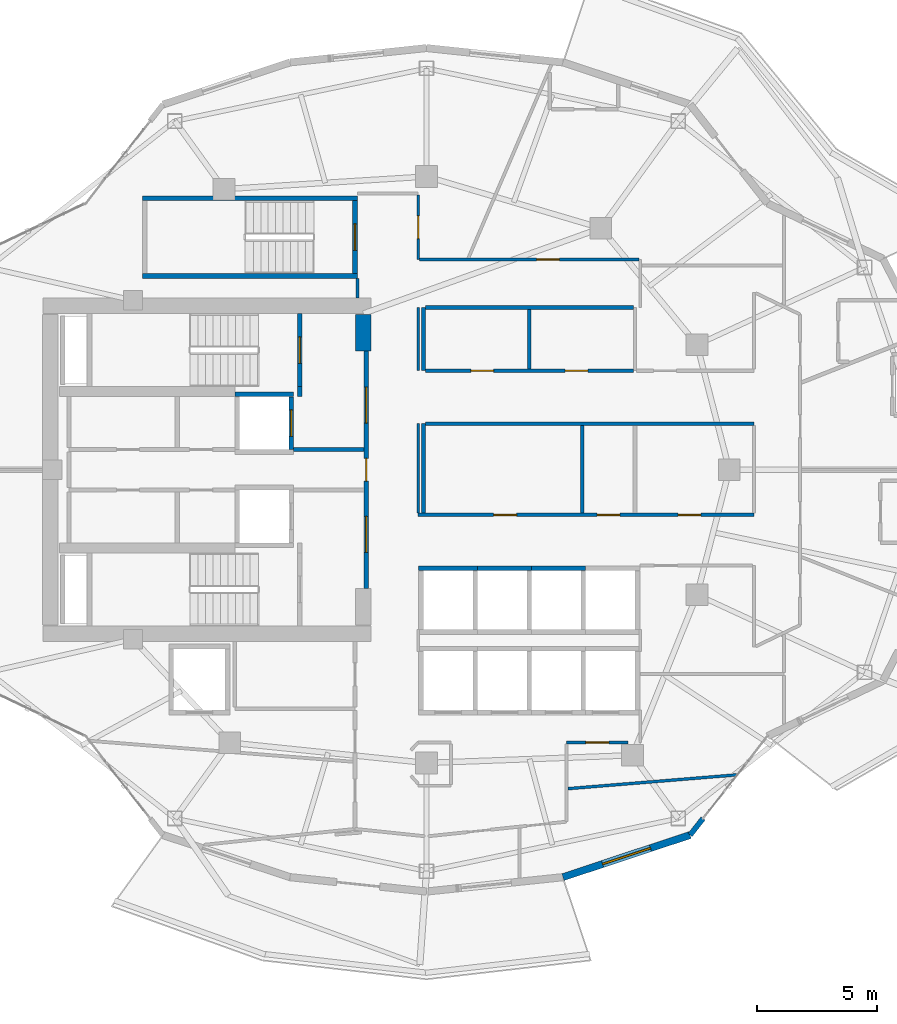
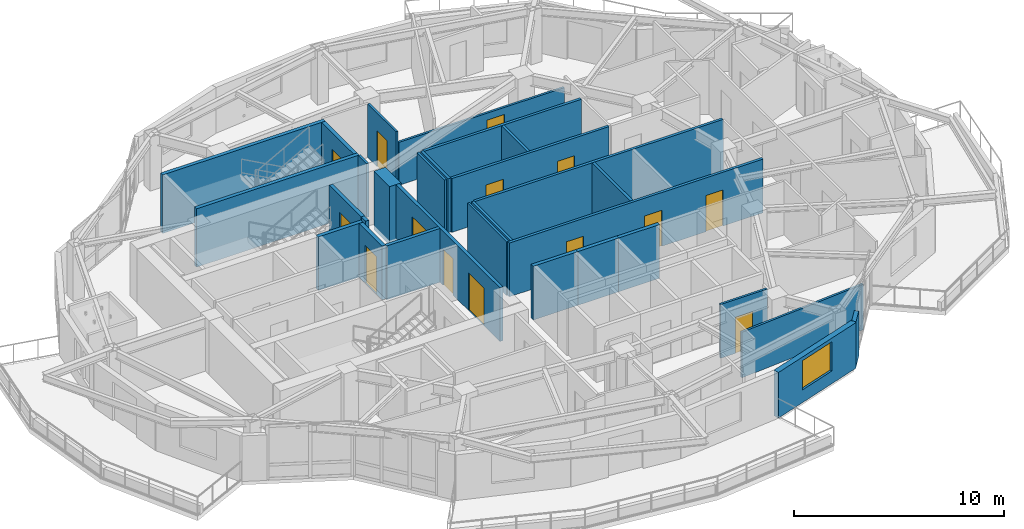
# One storey, part 10 of 19: 30 walls, 14 doors, 1 window, 15 openings.
"""IFC4 building model written with IfcOpenShell, lengths in metres."""

from ifc_helpers import new_model, si_unit, direction, frame, frame_2d, origin, place, context, subcontext, project, spatial, rectangle, extrude, material, layer, layer_set, type_object, element, fill, save


model = new_model("IFC4")

# Units and contexts
model_context = context("Model", 3, precision=1e-05, world=origin(), true_north=direction((0.0, 1.0)))
body_context = subcontext(model_context, "Body", "Model", "MODEL_VIEW")
ifc_project = project(units=[si_unit("LENGTHUNIT", "METRE"), si_unit("AREAUNIT", "SQUARE_METRE"), si_unit("VOLUMEUNIT", "CUBIC_METRE"), si_unit("PLANEANGLEUNIT", "RADIAN"), si_unit("MASSUNIT", "GRAM", prefix="KILO")], contexts=[model_context])

# Site, building, storey
site_placement = place(None, origin())
site = spatial("IfcSite", under=ifc_project, at=site_placement, CompositionType="ELEMENT")
building_placement = place(site_placement, origin())
building = spatial("IfcBuilding", under=site, at=building_placement, Name="Kolvaren Gate Tower and Convention Centre", CompositionType="ELEMENT")
storey_placement = place(building_placement, frame((0.0, 0.0, 163.10009765625)))
storey = spatial("IfcBuildingStorey", under=building, at=storey_placement, Name="L42", CompositionType="ELEMENT", Elevation=163.10009765625)

# Wall
ifc_material_1 = material(Name="Autoclaved Aerated Masonry Blockwork Class 4 (4.0 MPa)", Category="masonry")
ifc_layer_1 = layer(ifc_material_1, 0.179931640625)
ifc_layer_set_1 = layer_set([ifc_layer_1], Name="Autoclaved Aerated Masonry Blockwork Class 4 (4.0 MPa)")
wall_type_1 = type_object("IfcWallType", Name="ARCH-WL-COMP-180", PredefinedType="SOLIDWALL", material=ifc_layer_set_1)
wall_1_placement = place(storey_placement, frame((24.85009765625, 30.0400390625, 0.0), z_axis=(0.0, 0.0, 1.0), x_axis=(0.0, 1.0, 0.0)))
element("IfcWall", 1, at=wall_1_placement, inside=storey, type_object=wall_type_1, Name="Interior Partition WL-L42-INT-002", PredefinedType="SOLIDWALL", context=body_context, shape_type="SweptSolid", body=[
    extrude(rectangle(XDim=0.419921875, YDim=0.179931640625, at=frame_2d((0.2099609375, 0.0))), origin(), (0.0, 0.0, 1.0), 3.1298828125),
])

# Wall, openings, doors
wall_2_placement = place(storey_placement, frame((27.6201171875, 22.050048828125, 0.0), z_axis=(0.0, 0.0, 1.0), x_axis=(0.0, 1.0, 0.0)))
wall_2 = element("IfcWall", 2, at=wall_2_placement, inside=storey, type_object=wall_type_1, Name="Interior Partition WL-L42-INT-003", PredefinedType="SOLIDWALL", context=body_context, shape_type="SweptSolid", body=[
    extrude(rectangle(XDim=9.89990234375, YDim=0.179931640625, at=frame_2d((4.949951171875, 0.0))), origin(), (0.0, 0.0, 1.0), 3.1298828125),
])
opening_1_placement = place(wall_2_placement, frame((4.47509765625, 0.0, 0.0)))
opening_1 = element("IfcOpeningElement", 3, at=opening_1_placement, cuts=wall_2, Name="Opening DR-01", PredefinedType="OPENING", context=body_context, shape_type="SweptSolid", body=[
    extrude(rectangle(XDim=0.949951171875, YDim=2.10009765625, at=frame_2d((0.47509765625, 1.050048828125))), frame((0.0, 0.099853515625, 0.0), z_axis=(0.0, -1.0, 0.0), x_axis=(1.0, 0.0, 0.0)), (0.0, 0.0, 1.0), 0.199951171875),
])
opening_2_placement = place(wall_2_placement, frame((6.889892578125, 0.0, 0.0)))
opening_2 = element("IfcOpeningElement", 4, at=opening_2_placement, cuts=wall_2, Name="Opening DL-01", PredefinedType="OPENING", context=body_context, shape_type="SweptSolid", body=[
    extrude(rectangle(XDim=1.5, YDim=2.199951171875, at=frame_2d((0.75, 1.10009765625))), frame((0.0, 0.099853515625, 0.0), z_axis=(0.0, -1.0, 0.0), x_axis=(1.0, 0.0, 0.0)), (0.0, 0.0, 1.0), 0.199951171875),
])
opening_3_placement = place(wall_2_placement, frame((1.510009765625, 0.0, 0.0)))
opening_3 = element("IfcOpeningElement", 5, at=opening_3_placement, cuts=wall_2, Name="Opening DL-01", PredefinedType="OPENING", context=body_context, shape_type="SweptSolid", body=[
    extrude(rectangle(XDim=1.5, YDim=2.199951171875, at=frame_2d((0.75, 1.10009765625))), frame((0.0, 0.099853515625, 0.0), z_axis=(0.0, -1.0, 0.0), x_axis=(1.0, 0.0, 0.0)), (0.0, 0.0, 1.0), 0.199951171875),
])
ifc_material_2 = material(Name="Painted Architectural Steelwork ASTM A500 Grade C 345 MPa", Category="steel")
door_type_1 = type_object("IfcDoorType", Name="ARCH-DR-LOBBY-1500", OperationType="DOUBLE_DOOR_SINGLE_SWING", PredefinedType="DOOR", material=ifc_material_2)
door_1_placement = place(opening_2_placement, origin())
door_1 = element("IfcDoor", 6, at=door_1_placement, inside=storey, type_object=door_type_1, Name="North Firefighting Stair and Lift Lobby Door", OperationType="DOUBLE_DOOR_SINGLE_SWING", OverallHeight=2.199951171875, OverallWidth=1.5, PredefinedType="DOOR", context=body_context, shape_type="SweptSolid", body=[
    extrude(rectangle(XDim=1.5, YDim=2.199951171875, at=frame_2d((0.75, 1.10009765625))), frame((0.0, 0.02490234375, 0.0), z_axis=(0.0, -1.0, 0.0), x_axis=(1.0, 0.0, 0.0)), (0.0, 0.0, 1.0), 0.050048828125),
])
fill(opening_2, door_1)
door_2_placement = place(opening_3_placement, origin())
door_2 = element("IfcDoor", 7, at=door_2_placement, inside=storey, type_object=door_type_1, Name="South Firefighting Stair and Lift Lobby Door", OperationType="DOUBLE_DOOR_SINGLE_SWING", OverallHeight=2.199951171875, OverallWidth=1.5, PredefinedType="DOOR", context=body_context, shape_type="SweptSolid", body=[
    extrude(rectangle(XDim=1.5, YDim=2.199951171875, at=frame_2d((0.75, 1.10009765625))), frame((0.0, 0.02490234375, 0.0), z_axis=(0.0, -1.0, 0.0), x_axis=(1.0, 0.0, 0.0)), (0.0, 0.0, 1.0), 0.050048828125),
])
fill(opening_3, door_2)
door_type_2 = type_object("IfcDoorType", Name="ARCH-DR-RISER-950", OperationType="SINGLE_SWING_RIGHT", PredefinedType="DOOR", material=ifc_material_2)
door_3_placement = place(opening_1_placement, origin())
door_3 = element("IfcDoor", 8, at=door_3_placement, inside=storey, type_object=door_type_2, Name="Central MEP Service Corridor Door", OperationType="SINGLE_SWING_LEFT", OverallHeight=2.10009765625, OverallWidth=0.949951171875, PredefinedType="DOOR", context=body_context, shape_type="SweptSolid", body=[
    extrude(rectangle(XDim=0.949951171875, YDim=2.10009765625, at=frame_2d((0.47509765625, 1.050048828125))), frame((0.0, 0.02490234375, 0.0), z_axis=(0.0, -1.0, 0.0), x_axis=(1.0, 0.0, 0.0)), (0.0, 0.0, 1.0), 0.050048828125),
])
fill(opening_1, door_3)

# Wall
wall_3_placement = place(storey_placement, frame((24.60009765625, 27.840087890625, 0.0), z_axis=(0.0, 0.0, 1.0), x_axis=(1.0, 0.0, 0.0)))
element("IfcWall", 9, at=wall_3_placement, inside=storey, type_object=wall_type_1, Name="Interior Partition WL-L42-INT-004 (2)", PredefinedType="SOLIDWALL", context=body_context, shape_type="SweptSolid", body=[
    extrude(rectangle(XDim=2.927978515625, YDim=0.179931640625, at=frame_2d((1.4638671875, 0.0))), origin(), (0.0, 0.0, 1.0), 3.1298828125),
])

# Wall, opening, door
ifc_material_3 = material(Name="Fire-Rated Acoustic Gypsum Stud Partition", Category="gypsum")
ifc_layer_2 = layer(ifc_material_3, 0.1201171875)
ifc_layer_set_2 = layer_set([ifc_layer_2], Name="Fire-Rated Acoustic Gypsum Stud Partition")
wall_type_2 = type_object("IfcWallType", Name="ARCH-WL-PART-120", PredefinedType="PARTITIONING", material=ifc_layer_set_2)
wall_4_placement = place(storey_placement, frame((35.949951171875, 15.64990234375, 0.0), z_axis=(0.0, 0.0, 1.0), x_axis=(1.0, 0.0, 0.0)))
wall_4 = element("IfcWall", 10, at=wall_4_placement, inside=storey, type_object=wall_type_2, Name="Interior Partition WL-L42-INT-026", PredefinedType="PARTITIONING", context=body_context, shape_type="SweptSolid", body=[
    extrude(rectangle(XDim=2.568115234375, YDim=0.1201171875, at=frame_2d((1.2841796875, 0.0))), origin(), (0.0, 0.0, 1.0), 3.1298828125),
])
opening_4_placement = place(wall_4_placement, frame((0.80908203125, 0.0, 0.0)))
opening_4 = element("IfcOpeningElement", 11, at=opening_4_placement, cuts=wall_4, Name="Opening DR-01", PredefinedType="OPENING", context=body_context, shape_type="SweptSolid", body=[
    extrude(rectangle(XDim=0.949951171875, YDim=2.10009765625, at=frame_2d((0.47509765625, 1.050048828125))), frame((0.0, 0.070068359375, 0.0), z_axis=(0.0, -1.0, 0.0), x_axis=(1.0, 0.0, 0.0)), (0.0, 0.0, 1.0), 0.14013671875),
])
door_4_placement = place(opening_4_placement, origin())
door_4 = element("IfcDoor", 12, at=door_4_placement, inside=storey, type_object=door_type_2, Name="Luxury Retail Boutique Door", OperationType="SINGLE_SWING_LEFT", OverallHeight=2.10009765625, OverallWidth=0.949951171875, PredefinedType="DOOR", context=body_context, shape_type="SweptSolid", body=[
    extrude(rectangle(XDim=0.949951171875, YDim=2.10009765625, at=frame_2d((0.47509765625, 1.050048828125))), frame((0.0, 0.02490234375, 0.0), z_axis=(0.0, -1.0, 0.0), x_axis=(1.0, 0.0, 0.0)), (0.0, 0.0, 1.0), 0.050048828125),
])
fill(opening_4, door_4)

# Walls
wall_5_placement = place(storey_placement, frame((27.25, 34.152099609375, 0.0), z_axis=(0.0, 0.0, 1.0), x_axis=(0.0, 1.0, 0.0)))
element("IfcWall", 13, at=wall_5_placement, inside=storey, type_object=wall_type_2, Name="Interior Partition WL-L42-INT-030", PredefinedType="PARTITIONING", context=body_context, shape_type="SweptSolid", body=[
    extrude(rectangle(XDim=0.805908203125, YDim=0.1201171875, at=frame_2d((0.40283203125, 0.0))), origin(), (0.0, 0.0, 1.0), 3.1298828125),
])
wall_6_placement = place(storey_placement, frame((29.780029296875, 25.197021484375, 0.0), z_axis=(0.0, 0.0, 1.0), x_axis=(0.0, 1.0, 0.0)))
element("IfcWall", 14, at=wall_6_placement, inside=storey, type_object=wall_type_2, Name="Interior Partition WL-L42-INT-033", PredefinedType="PARTITIONING", context=body_context, shape_type="SweptSolid", body=[
    extrude(rectangle(XDim=3.722900390625, YDim=0.1201171875, at=frame_2d((1.861328125, 0.0))), origin(), (0.0, 0.0, 1.0), 3.1298828125),
])
wall_7_placement = place(storey_placement, frame((29.780029296875, 31.1201171875, 0.0), z_axis=(0.0, 0.0, 1.0), x_axis=(0.0, 1.0, 0.0)))
element("IfcWall", 15, at=wall_7_placement, inside=storey, type_object=wall_type_2, Name="Interior Partition WL-L42-INT-034", PredefinedType="PARTITIONING", context=body_context, shape_type="SweptSolid", body=[
    extrude(rectangle(XDim=2.6298828125, YDim=0.1201171875, at=frame_2d((1.31494140625, 0.0))), origin(), (0.0, 0.0, 1.0), 3.1298828125),
])

# Wall, opening, door
wall_8_placement = place(storey_placement, frame((29.780029296875, 35.75, 0.0), z_axis=(0.0, 0.0, 1.0), x_axis=(0.0, 1.0, 0.0)))
wall_8 = element("IfcWall", 16, at=wall_8_placement, inside=storey, type_object=wall_type_2, Name="Interior Partition WL-L42-INT-035", PredefinedType="PARTITIONING", context=body_context, shape_type="SweptSolid", body=[
    extrude(rectangle(XDim=2.68798828125, YDim=0.1201171875, at=frame_2d((1.343994140625, 0.0))), origin(), (0.0, 0.0, 1.0), 3.1298828125),
])
opening_5_placement = place(wall_8_placement, frame((0.868896484375, 0.0, 0.0)))
opening_5 = element("IfcOpeningElement", 17, at=opening_5_placement, cuts=wall_8, Name="Opening DR-01", PredefinedType="OPENING", context=body_context, shape_type="SweptSolid", body=[
    extrude(rectangle(XDim=0.949951171875, YDim=2.10009765625, at=frame_2d((0.47509765625, 1.050048828125))), frame((0.0, 0.070068359375, 0.0), z_axis=(0.0, -1.0, 0.0), x_axis=(1.0, 0.0, 0.0)), (0.0, 0.0, 1.0), 0.14013671875),
])
door_5_placement = place(opening_5_placement, origin())
door_5 = element("IfcDoor", 18, at=door_5_placement, inside=storey, type_object=door_type_2, Name="Deluxe Hotel Suite (HTL-L42-14) Door", OperationType="SINGLE_SWING_RIGHT", OverallHeight=2.10009765625, OverallWidth=0.949951171875, PredefinedType="DOOR", context=body_context, shape_type="SweptSolid", body=[
    extrude(rectangle(XDim=0.949951171875, YDim=2.10009765625, at=frame_2d((0.47509765625, 1.050048828125))), frame((0.0, 0.02490234375, 0.0), z_axis=(0.0, -1.0, 0.0), x_axis=(1.0, 0.0, 0.0)), (0.0, 0.0, 1.0), 0.050048828125),
])
fill(opening_5, door_5)

wall_9_placement = place(storey_placement, frame((29.842041015625, 35.75, 0.0), z_axis=(0.0, 0.0, 1.0), x_axis=(1.0, 0.0, 0.0)))
wall_9 = element("IfcWall", 19, at=wall_9_placement, inside=storey, type_object=wall_type_2, Name="Interior Partition WL-L42-INT-036", PredefinedType="PARTITIONING", context=body_context, shape_type="SweptSolid", body=[
    extrude(rectangle(XDim=9.115966796875, YDim=0.1201171875, at=frame_2d((4.55810546875, 0.0))), origin(), (0.0, 0.0, 1.0), 2.5048828125),
])
opening_6_placement = place(wall_9_placement, frame((4.866455078125, 0.0, 0.0)))
opening_6 = element("IfcOpeningElement", 20, at=opening_6_placement, cuts=wall_9, Name="Opening DR-01", PredefinedType="OPENING", context=body_context, shape_type="SweptSolid", body=[
    extrude(rectangle(XDim=0.949951171875, YDim=2.10009765625, at=frame_2d((0.47509765625, 1.050048828125))), frame((0.0, 0.070068359375, 0.0), z_axis=(0.0, -1.0, 0.0), x_axis=(1.0, 0.0, 0.0)), (0.0, 0.0, 1.0), 0.14013671875),
])
door_6_placement = place(opening_6_placement, origin())
door_6 = element("IfcDoor", 21, at=door_6_placement, inside=storey, type_object=door_type_2, Name="Deluxe Hotel Suite (HTL-L42-13) Door", OperationType="SINGLE_SWING_LEFT", OverallHeight=2.10009765625, OverallWidth=0.949951171875, PredefinedType="DOOR", context=body_context, shape_type="SweptSolid", body=[
    extrude(rectangle(XDim=0.949951171875, YDim=2.10009765625, at=frame_2d((0.47509765625, 1.050048828125))), frame((0.0, 0.02490234375, 0.0), z_axis=(0.0, -1.0, 0.0), x_axis=(1.0, 0.0, 0.0)), (0.0, 0.0, 1.0), 0.050048828125),
])
fill(opening_6, door_6)

# Walls
wall_10_placement = place(storey_placement, frame((36.011962890625, 13.72998046875, 0.0), z_axis=(0.0, 0.0, 1.0), x_axis=(0.996671680688, 0.081520309828, 0.0)))
element("IfcWall", 22, at=wall_10_placement, inside=storey, type_object=wall_type_2, Name="Interior Partition WL-L42-INT-054", PredefinedType="PARTITIONING", context=body_context, shape_type="SweptSolid", body=[
    extrude(rectangle(XDim=7.034912109375, YDim=0.1201171875, at=frame_2d((3.517578125, 0.0))), origin(), (0.0, 0.0, 1.0), 2.65283203125),
])
ifc_material_4 = material(Name="Bogota Sabana Bush-Hammered Sandstone Cladding", Category="masonry")
ifc_layer_3 = layer(ifc_material_4, 0.219970703125)
ifc_layer_set_3 = layer_set([ifc_layer_3], Name="Bogota Sabana Bush-Hammered Sandstone Cladding")
wall_type_3 = type_object("IfcWallType", Name="ARCH-WL-PIER-220", PredefinedType="SOLIDWALL", material=ifc_layer_set_3)
wall_11_placement = place(storey_placement, frame((41.09375, 11.80126953125, 0.0), z_axis=(0.0, 0.0, 1.0), x_axis=(0.616368366719, 0.787457958566, 0.0)))
element("IfcWall", 23, at=wall_11_placement, inside=storey, type_object=wall_type_3, Name="Tower L42 Unitised Curtain Wall CW-HTL-UNIT Bay 20 Left Column Pier Wrap", PredefinedType="SOLIDWALL", context=body_context, shape_type="SweptSolid", body=[
    extrude(rectangle(XDim=0.876220703125, YDim=0.219970703125, at=frame_2d((0.43798828125, 0.0))), origin(), (0.0, 0.0, 1.0), 2.65283203125),
])
ifc_layer_4 = layer(ifc_material_1, 0.199951171875)
ifc_layer_set_4 = layer_set([ifc_layer_4], Name="Autoclaved Aerated Masonry Blockwork Class 4 (4.0 MPa)")
wall_type_4 = type_object("IfcWallType", Name="ARCH-WL-SHAFT-200", PredefinedType="SOLIDWALL", material=ifc_layer_set_4)
wall_12_placement = place(storey_placement, frame((22.14990234375, 30.139892578125, 0.0), z_axis=(0.0, 0.0, 1.0), x_axis=(1.0, 0.0, 0.0)))
element("IfcWall", 24, at=wall_12_placement, inside=storey, type_object=wall_type_4, Name="Elevator FF-01 L42 Fire Shaft Wall N", PredefinedType="SOLIDWALL", context=body_context, shape_type="SweptSolid", body=[
    extrude(rectangle(XDim=2.4501953125, YDim=0.199951171875, at=frame_2d((1.22509765625, 0.0))), origin(), (0.0, 0.0, 1.0), 3.1298828125),
])

# Wall, opening, door
wall_13_placement = place(storey_placement, frame((24.5, 27.85009765625, 0.0), z_axis=(0.0, 0.0, 1.0), x_axis=(0.0, 1.0, 0.0)))
wall_13 = element("IfcWall", 25, at=wall_13_placement, inside=storey, type_object=wall_type_4, Name="Elevator FF-01 L42 Fire Shaft Wall E", PredefinedType="SOLIDWALL", context=body_context, shape_type="SweptSolid", body=[
    extrude(rectangle(XDim=2.179931640625, YDim=0.199951171875, at=frame_2d((1.08984375, 0.0))), origin(), (0.0, 0.0, 1.0), 3.1298828125),
])
opening_7_placement = place(wall_13_placement, frame((0.5400390625, 0.0, 0.0)))
opening_7 = element("IfcOpeningElement", 26, at=opening_7_placement, cuts=wall_13, Name="Opening LD", PredefinedType="OPENING", context=body_context, shape_type="SweptSolid", body=[
    extrude(rectangle(XDim=1.10009765625, YDim=2.199951171875, at=frame_2d((0.550048828125, 1.10009765625))), frame((0.0, 0.10986328125, 0.0), z_axis=(0.0, -1.0, 0.0), x_axis=(1.0, 0.0, 0.0)), (0.0, 0.0, 1.0), 0.219970703125),
])
ifc_material_5 = material(Name="Brushed Stainless Steel Grade 316L", Category="steel")
door_type_3 = type_object("IfcDoorType", Name="ARCH-DR-LIFT-1100", OperationType="SLIDING_TO_LEFT", PredefinedType="DOOR", material=ifc_material_5)
door_7_placement = place(opening_7_placement, origin())
door_7 = element("IfcDoor", 27, at=door_7_placement, inside=storey, type_object=door_type_3, Name="Elevator FF-01 L42 Sliding Landing Door", OperationType="SLIDING_TO_LEFT", OverallHeight=2.199951171875, OverallWidth=1.10009765625, PredefinedType="DOOR", context=body_context, shape_type="SweptSolid", body=[
    extrude(rectangle(XDim=1.10009765625, YDim=2.199951171875, at=frame_2d((0.550048828125, 1.10009765625))), frame((0.0, 0.02490234375, 0.0), z_axis=(0.0, -1.0, 0.0), x_axis=(1.0, 0.0, 0.0)), (0.0, 0.0, 1.0), 0.050048828125),
])
fill(opening_7, door_7)

# Walls
wall_14_placement = place(storey_placement, frame((29.800048828125, 22.89990234375, 0.0), z_axis=(0.0, 0.0, 1.0), x_axis=(1.0, 0.0, 0.0)))
element("IfcWall", 28, at=wall_14_placement, inside=storey, type_object=wall_type_4, Name="Elevator PL-09 L42 Fire Shaft Wall N", PredefinedType="SOLIDWALL", context=body_context, shape_type="SweptSolid", body=[
    extrude(rectangle(XDim=2.449951171875, YDim=0.199951171875, at=frame_2d((1.22509765625, 0.0))), origin(), (0.0, 0.0, 1.0), 3.1298828125),
])
for number, where, z_axis, x_axis, name in (
    (29, (32.25, 22.89990234375, 0.0), (0.0, 0.0, 1.0), (1.0, 0.0, 0.0), "Elevator PL-10 L42 Fire Shaft Wall N"),
    (30, (34.5, 22.89990234375, 0.0), (0.0, 0.0, 1.0), (1.0, 0.0, 0.0), "Elevator PL-11 L42 Fire Shaft Wall N"),
):
    element("IfcWall", number, at=place(storey_placement, frame(where, z_axis=z_axis, x_axis=x_axis)), inside=storey, type_object=wall_type_4, Name=name, PredefinedType="SOLIDWALL", context=body_context, shape_type="SweptSolid", body=[
        extrude(rectangle(XDim=2.25, YDim=0.199951171875, at=frame_2d((1.125, 0.0))), origin(), (0.0, 0.0, 1.0), 3.1298828125),
    ])

# Wall, opening, window
ifc_material_6 = material(Name="Piedmont Cream Honed Limestone Cladding", Category="masonry")
ifc_layer_5 = layer(ifc_material_6, 0.300048828125)
ifc_layer_set_5 = layer_set([ifc_layer_5], Name="Piedmont Cream Honed Limestone Cladding")
wall_type_5 = type_object("IfcWallType", Name="ARCH-WL-STONE-300", PredefinedType="SOLIDWALL", material=ifc_layer_set_5)
wall_15_placement = place(storey_placement, frame((35.802734375, 10.048095703125, 0.0), z_axis=(0.0, 0.0, 1.0), x_axis=(0.949246811547, 0.314532177636, 0.0)))
wall_15 = element("IfcWall", 31, at=wall_15_placement, inside=storey, type_object=wall_type_5, Name="Tower L42 Honed Stone Spandrel Wall EW-19", PredefinedType="SOLIDWALL", context=body_context, shape_type="SweptSolid", body=[
    extrude(rectangle(XDim=5.573974609375, YDim=0.300048828125, at=frame_2d((2.787109375, 0.0))), origin(), (0.0, 0.0, 1.0), 2.65283203125),
])
opening_8_placement = place(wall_15_placement, frame((1.737060546875, 0.0, 0.739990234375)))
opening_8 = element("IfcOpeningElement", 32, at=opening_8_placement, cuts=wall_15, Name="Opening W-02", PredefinedType="OPENING", context=body_context, shape_type="SweptSolid", body=[
    extrude(rectangle(XDim=2.10009765625, YDim=1.699951171875, at=frame_2d((1.050048828125, 0.85009765625))), frame((0.0, 0.159912109375, 0.0), z_axis=(0.0, -1.0, 0.0), x_axis=(1.0, 0.0, 0.0)), (0.0, 0.0, 1.0), 0.320068359375),
])
ifc_material_7 = material(Name="Low-E Triple Insulated Glazing Unit 44 mm", Category="glass")
window_type = type_object("IfcWindowType", Name="ARCH-WN-HTL-2100", PartitioningType="SINGLE_PANEL", PredefinedType="WINDOW", material=ifc_material_7)
window_placement = place(opening_8_placement, origin())
window = element("IfcWindow", 33, at=window_placement, inside=storey, type_object=window_type, Name="Tower L42 Punched Stone Facade Window W-19", OverallHeight=1.699951171875, OverallWidth=2.10009765625, PartitioningType="SINGLE_PANEL", PredefinedType="WINDOW", context=body_context, shape_type="SweptSolid", body=[
    extrude(rectangle(XDim=2.10009765625, YDim=1.699951171875, at=frame_2d((1.050048828125, 0.85009765625))), frame((0.0, 0.030029296875, 0.0), z_axis=(0.0, -1.0, 0.0), x_axis=(1.0, 0.0, 0.0)), (0.0, 0.0, 1.0), 0.06005859375),
])
fill(opening_8, window)

# Wall, openings, doors
ifc_material_8 = material(Name="Moisture-Resistant Cement-Board Acoustic Partition", Category="gypsum")
ifc_layer_6 = layer(ifc_material_8, 0.14990234375)
ifc_layer_set_6 = layer_set([ifc_layer_6], Name="Moisture-Resistant Cement-Board Acoustic Partition")
wall_type_6 = type_object("IfcWallType", Name="ARCH-WL-WET-150", PredefinedType="PARTITIONING", material=ifc_layer_set_6)
wall_16_placement = place(storey_placement, frame((29.780029296875, 25.1201171875, 0.0), z_axis=(0.0, 0.0, 1.0), x_axis=(1.0, 0.0, 0.0)))
wall_16 = element("IfcWall", 34, at=wall_16_placement, inside=storey, type_object=wall_type_6, Name="Interior Partition WL-L42-INT-013", PredefinedType="PARTITIONING", context=body_context, shape_type="SweptSolid", body=[
    extrude(rectangle(XDim=13.969970703125, YDim=0.14990234375, at=frame_2d((6.98486328125, 0.0))), origin(), (0.0, 0.0, 1.0), 3.1298828125),
])
opening_9_placement = place(wall_16_placement, frame((3.139892578125, 0.0, 0.0)))
opening_9 = element("IfcOpeningElement", 35, at=opening_9_placement, cuts=wall_16, Name="Opening DR-01", PredefinedType="OPENING", context=body_context, shape_type="SweptSolid", body=[
    extrude(rectangle(XDim=0.949951171875, YDim=2.10009765625, at=frame_2d((0.47509765625, 1.050048828125))), frame((0.0, 0.0849609375, 0.0), z_axis=(0.0, -1.0, 0.0), x_axis=(1.0, 0.0, 0.0)), (0.0, 0.0, 1.0), 0.169921875),
])
opening_10_placement = place(wall_16_placement, frame((7.445068359375, 0.0, 0.0)))
opening_10 = element("IfcOpeningElement", 36, at=opening_10_placement, cuts=wall_16, Name="Opening DR-01", PredefinedType="OPENING", context=body_context, shape_type="SweptSolid", body=[
    extrude(rectangle(XDim=0.949951171875, YDim=2.10009765625, at=frame_2d((0.47509765625, 1.050048828125))), frame((0.0, 0.0849609375, 0.0), z_axis=(0.0, -1.0, 0.0), x_axis=(1.0, 0.0, 0.0)), (0.0, 0.0, 1.0), 0.169921875),
])
opening_11_placement = place(wall_16_placement, frame((10.81494140625, 0.0, 0.0)))
opening_11 = element("IfcOpeningElement", 37, at=opening_11_placement, cuts=wall_16, Name="Opening DR-01", PredefinedType="OPENING", context=body_context, shape_type="SweptSolid", body=[
    extrude(rectangle(XDim=0.949951171875, YDim=2.10009765625, at=frame_2d((0.47509765625, 1.050048828125))), frame((0.0, 0.0849609375, 0.0), z_axis=(0.0, -1.0, 0.0), x_axis=(1.0, 0.0, 0.0)), (0.0, 0.0, 1.0), 0.169921875),
])
door_8_placement = place(opening_9_placement, origin())
door_8 = element("IfcDoor", 38, at=door_8_placement, inside=storey, type_object=door_type_2, Name="Accessible Universal Washroom Door", OperationType="SINGLE_SWING_LEFT", OverallHeight=2.10009765625, OverallWidth=0.949951171875, PredefinedType="DOOR", context=body_context, shape_type="SweptSolid", body=[
    extrude(rectangle(XDim=0.949951171875, YDim=2.10009765625, at=frame_2d((0.47509765625, 1.050048828125))), frame((0.0, 0.02490234375, 0.0), z_axis=(0.0, -1.0, 0.0), x_axis=(1.0, 0.0, 0.0)), (0.0, 0.0, 1.0), 0.050048828125),
])
fill(opening_9, door_8)
door_9_placement = place(opening_10_placement, origin())
door_9 = element("IfcDoor", 39, at=door_9_placement, inside=storey, type_object=door_type_2, Name="Hotel Housekeeping and Linen Store Door", OperationType="SINGLE_SWING_RIGHT", OverallHeight=2.10009765625, OverallWidth=0.949951171875, PredefinedType="DOOR", context=body_context, shape_type="SweptSolid", body=[
    extrude(rectangle(XDim=0.949951171875, YDim=2.10009765625, at=frame_2d((0.47509765625, 1.050048828125))), frame((0.0, 0.02490234375, 0.0), z_axis=(0.0, -1.0, 0.0), x_axis=(1.0, 0.0, 0.0)), (0.0, 0.0, 1.0), 0.050048828125),
])
fill(opening_10, door_9)
door_10_placement = place(opening_11_placement, origin())
door_10 = element("IfcDoor", 40, at=door_10_placement, inside=storey, type_object=door_type_2, Name="Hotel Botanical Clubroom Door", OperationType="SINGLE_SWING_LEFT", OverallHeight=2.10009765625, OverallWidth=0.949951171875, PredefinedType="DOOR", context=body_context, shape_type="SweptSolid", body=[
    extrude(rectangle(XDim=0.949951171875, YDim=2.10009765625, at=frame_2d((0.47509765625, 1.050048828125))), frame((0.0, 0.02490234375, 0.0), z_axis=(0.0, -1.0, 0.0), x_axis=(1.0, 0.0, 0.0)), (0.0, 0.0, 1.0), 0.050048828125),
])
fill(opening_11, door_10)

# Walls
wall_17_placement = place(storey_placement, frame((30.0, 25.197021484375, 0.0), z_axis=(0.0, 0.0, 1.0), x_axis=(0.0, 1.0, 0.0)))
element("IfcWall", 41, at=wall_17_placement, inside=storey, type_object=wall_type_6, Name="Interior Partition WL-L42-INT-014", PredefinedType="PARTITIONING", context=body_context, shape_type="SweptSolid", body=[
    extrude(rectangle(XDim=3.722900390625, YDim=0.14990234375, at=frame_2d((1.861328125, 0.0))), origin(), (0.0, 0.0, 1.0), 3.1298828125),
])
wall_18_placement = place(storey_placement, frame((30.0, 31.1201171875, 0.0), z_axis=(0.0, 0.0, 1.0), x_axis=(0.0, 1.0, 0.0)))
element("IfcWall", 42, at=wall_18_placement, inside=storey, type_object=wall_type_6, Name="Interior Partition WL-L42-INT-015", PredefinedType="PARTITIONING", context=body_context, shape_type="SweptSolid", body=[
    extrude(rectangle(XDim=2.6298828125, YDim=0.14990234375, at=frame_2d((1.31494140625, 0.0))), origin(), (0.0, 0.0, 1.0), 3.1298828125),
])
wall_19_placement = place(storey_placement, frame((30.076904296875, 28.919921875, 0.0), z_axis=(0.0, 0.0, 1.0), x_axis=(1.0, 0.0, 0.0)))
element("IfcWall", 43, at=wall_19_placement, inside=storey, type_object=wall_type_6, Name="Interior Partition WL-L42-INT-016", PredefinedType="PARTITIONING", context=body_context, shape_type="SweptSolid", body=[
    extrude(rectangle(XDim=13.673095703125, YDim=0.14990234375, at=frame_2d((6.83642578125, 0.0))), origin(), (0.0, 0.0, 1.0), 3.1298828125),
])
wall_20_placement = place(storey_placement, frame((36.60009765625, 25.197021484375, 0.0), z_axis=(0.0, 0.0, 1.0), x_axis=(0.0, 1.0, 0.0)))
element("IfcWall", 44, at=wall_20_placement, inside=storey, type_object=wall_type_6, Name="Interior Partition WL-L42-INT-017", PredefinedType="PARTITIONING", context=body_context, shape_type="SweptSolid", body=[
    extrude(rectangle(XDim=3.64599609375, YDim=0.14990234375, at=frame_2d((1.822998046875, 0.0))), origin(), (0.0, 0.0, 1.0), 3.1298828125),
])

# Wall, openings, doors
wall_21_placement = place(storey_placement, frame((30.076904296875, 31.1201171875, 0.0), z_axis=(0.0, 0.0, 1.0), x_axis=(1.0, 0.0, 0.0)))
wall_21 = element("IfcWall", 45, at=wall_21_placement, inside=storey, type_object=wall_type_6, Name="Interior Partition WL-L42-INT-020", PredefinedType="PARTITIONING", context=body_context, shape_type="SweptSolid", body=[
    extrude(rectangle(XDim=8.6611328125, YDim=0.14990234375, at=frame_2d((4.33056640625, 0.0))), origin(), (0.0, 0.0, 1.0), 3.1298828125),
])
opening_12_placement = place(wall_21_placement, frame((1.8916015625, 0.0, 0.0)))
opening_12 = element("IfcOpeningElement", 46, at=opening_12_placement, cuts=wall_21, Name="Opening DR-01", PredefinedType="OPENING", context=body_context, shape_type="SweptSolid", body=[
    extrude(rectangle(XDim=0.949951171875, YDim=2.10009765625, at=frame_2d((0.47509765625, 1.050048828125))), frame((0.0, 0.0849609375, 0.0), z_axis=(0.0, -1.0, 0.0), x_axis=(1.0, 0.0, 0.0)), (0.0, 0.0, 1.0), 0.169921875),
])
opening_13_placement = place(wall_21_placement, frame((5.81201171875, 0.0, 0.0)))
opening_13 = element("IfcOpeningElement", 47, at=opening_13_placement, cuts=wall_21, Name="Opening DR-01", PredefinedType="OPENING", context=body_context, shape_type="SweptSolid", body=[
    extrude(rectangle(XDim=0.949951171875, YDim=2.10009765625, at=frame_2d((0.47509765625, 1.050048828125))), frame((0.0, 0.0849609375, 0.0), z_axis=(0.0, -1.0, 0.0), x_axis=(1.0, 0.0, 0.0)), (0.0, 0.0, 1.0), 0.169921875),
])
door_11_placement = place(opening_12_placement, origin())
door_11 = element("IfcDoor", 48, at=door_11_placement, inside=storey, type_object=door_type_2, Name="Valet and Linen Store Door", OperationType="SINGLE_SWING_LEFT", OverallHeight=2.10009765625, OverallWidth=0.949951171875, PredefinedType="DOOR", context=body_context, shape_type="SweptSolid", body=[
    extrude(rectangle(XDim=0.949951171875, YDim=2.10009765625, at=frame_2d((0.47509765625, 1.050048828125))), frame((0.0, 0.02490234375, 0.0), z_axis=(0.0, -1.0, 0.0), x_axis=(1.0, 0.0, 0.0)), (0.0, 0.0, 1.0), 0.050048828125),
])
fill(opening_12, door_11)
door_12_placement = place(opening_13_placement, origin())
door_12 = element("IfcDoor", 49, at=door_12_placement, inside=storey, type_object=door_type_2, Name="Ice and Beverage Pantry Door", OperationType="SINGLE_SWING_RIGHT", OverallHeight=2.10009765625, OverallWidth=0.949951171875, PredefinedType="DOOR", context=body_context, shape_type="SweptSolid", body=[
    extrude(rectangle(XDim=0.949951171875, YDim=2.10009765625, at=frame_2d((0.47509765625, 1.050048828125))), frame((0.0, 0.02490234375, 0.0), z_axis=(0.0, -1.0, 0.0), x_axis=(1.0, 0.0, 0.0)), (0.0, 0.0, 1.0), 0.050048828125),
])
fill(opening_13, door_12)

# Walls
wall_22_placement = place(storey_placement, frame((30.076904296875, 33.75, 0.0), z_axis=(0.0, 0.0, 1.0), x_axis=(1.0, 0.0, 0.0)))
element("IfcWall", 50, at=wall_22_placement, inside=storey, type_object=wall_type_6, Name="Interior Partition WL-L42-INT-021", PredefinedType="PARTITIONING", context=body_context, shape_type="SweptSolid", body=[
    extrude(rectangle(XDim=8.6611328125, YDim=0.14990234375, at=frame_2d((4.33056640625, 0.0))), origin(), (0.0, 0.0, 1.0), 3.1298828125),
])
wall_23_placement = place(storey_placement, frame((34.39990234375, 31.197021484375, 0.0), z_axis=(0.0, 0.0, 1.0), x_axis=(0.0, 1.0, 0.0)))
element("IfcWall", 51, at=wall_23_placement, inside=storey, type_object=wall_type_6, Name="Interior Partition WL-L42-INT-022", PredefinedType="PARTITIONING", context=body_context, shape_type="SweptSolid", body=[
    extrude(rectangle(XDim=2.47607421875, YDim=0.14990234375, at=frame_2d((1.238037109375, 0.0))), origin(), (0.0, 0.0, 1.0), 3.1298828125),
])
ifc_material_9 = material(Name="Concrete C60/75", Category="concrete")
ifc_layer_7 = layer(ifc_material_9, 0.64990234375)
ifc_layer_set_7 = layer_set([ifc_layer_7], Name="Concrete C60/75")
wall_type_7 = type_object("IfcWallType", Name="STR-WL-CORE-650", PredefinedType="SHEAR", material=ifc_layer_set_7)
wall_24_placement = place(storey_placement, frame((27.5, 31.949951171875, -0.27001953125), z_axis=(0.0, 0.0, 1.0), x_axis=(0.0, 1.0, 0.0)))
element("IfcWall", 52, at=wall_24_placement, inside=storey, type_object=wall_type_7, Name="Tower L42 Offset Core Shear Wall EN", PredefinedType="SHEAR", context=body_context, shape_type="SweptSolid", body=[
    extrude(rectangle(XDim=1.5, YDim=0.64990234375, at=frame_2d((0.75, 0.0))), origin(), (0.0, 0.0, 1.0), 3.39990234375),
])

# Wall, opening, door
ifc_material_10 = material(Name="Concrete C50/60", Category="concrete")
ifc_layer_8 = layer(ifc_material_10, 0.199951171875)
ifc_layer_set_8 = layer_set([ifc_layer_8], Name="Concrete C50/60")
wall_type_8 = type_object("IfcWallType", Name="STR-WL-SHAFT-200", PredefinedType="SHEAR", material=ifc_layer_set_8)
wall_25_placement = place(storey_placement, frame((24.85009765625, 30.4599609375, -0.27001953125), z_axis=(0.0, 0.0, 1.0), x_axis=(0.0, 1.0, 0.0)))
wall_25 = element("IfcWall", 53, at=wall_25_placement, inside=storey, type_object=wall_type_8, Name="Tower North Exit Stair ST-T1 L42 Structural Shear Enclosure Wall NEAR", PredefinedType="SHEAR", context=body_context, shape_type="SweptSolid", body=[
    extrude(rectangle(XDim=3.0380859375, YDim=0.199951171875, at=frame_2d((1.51904296875, 0.0))), origin(), (0.0, 0.0, 1.0), 3.39990234375),
])
opening_14_placement = place(wall_25_placement, frame((0.968994140625, 0.0, 0.27001953125)))
opening_14 = element("IfcOpeningElement", 54, at=opening_14_placement, cuts=wall_25, Name="Opening DS-01", PredefinedType="OPENING", context=body_context, shape_type="SweptSolid", body=[
    extrude(rectangle(XDim=1.10009765625, YDim=2.14990234375, at=frame_2d((0.550048828125, 1.074951171875))), frame((0.0, 0.10986328125, 0.0), z_axis=(0.0, -1.0, 0.0), x_axis=(1.0, 0.0, 0.0)), (0.0, 0.0, 1.0), 0.219970703125),
])
door_type_4 = type_object("IfcDoorType", Name="ARCH-DR-STAIR-1100", OperationType="SINGLE_SWING_LEFT", PredefinedType="DOOR", material=ifc_material_2)
door_13_placement = place(opening_14_placement, origin())
door_13 = element("IfcDoor", 55, at=door_13_placement, inside=storey, type_object=door_type_4, Name="Tower North Exit Stair ST-T1 L42 Fire Exit Stair Door", OperationType="SINGLE_SWING_RIGHT", OverallHeight=2.14990234375, OverallWidth=1.10009765625, PredefinedType="DOOR", context=body_context, shape_type="SweptSolid", body=[
    extrude(rectangle(XDim=1.10009765625, YDim=2.14990234375, at=frame_2d((0.550048828125, 1.074951171875))), frame((0.0, 0.02490234375, 0.0), z_axis=(0.0, -1.0, 0.0), x_axis=(1.0, 0.0, 0.0)), (0.0, 0.0, 1.0), 0.050048828125),
])
fill(opening_14, door_13)

wall_26_placement = place(storey_placement, frame((27.14990234375, 35.159912109375, -0.27001953125), z_axis=(0.0, 0.0, 1.0), x_axis=(0.0, 1.0, 0.0)))
wall_26 = element("IfcWall", 56, at=wall_26_placement, inside=storey, type_object=wall_type_8, Name="Tower Mid-Zone Exit Stair ST-T3 L42 Structural Shear Enclosure Wall NEAR", PredefinedType="SHEAR", context=body_context, shape_type="SweptSolid", body=[
    extrude(rectangle(XDim=3.0400390625, YDim=0.199951171875, at=frame_2d((1.52001953125, 0.0))), origin(), (0.0, 0.0, 1.0), 3.39990234375),
])
opening_15_placement = place(wall_26_placement, frame((0.969970703125, 0.0, 0.27001953125)))
opening_15 = element("IfcOpeningElement", 57, at=opening_15_placement, cuts=wall_26, Name="Opening DS-01", PredefinedType="OPENING", context=body_context, shape_type="SweptSolid", body=[
    extrude(rectangle(XDim=1.10009765625, YDim=2.14990234375, at=frame_2d((0.550048828125, 1.074951171875))), frame((0.0, 0.10986328125, 0.0), z_axis=(0.0, -1.0, 0.0), x_axis=(1.0, 0.0, 0.0)), (0.0, 0.0, 1.0), 0.219970703125),
])
door_14_placement = place(opening_15_placement, origin())
door_14 = element("IfcDoor", 58, at=door_14_placement, inside=storey, type_object=door_type_4, Name="Tower Mid-Zone Exit Stair ST-T3 L42 Fire Exit Stair Door", OperationType="SINGLE_SWING_RIGHT", OverallHeight=2.14990234375, OverallWidth=1.10009765625, PredefinedType="DOOR", context=body_context, shape_type="SweptSolid", body=[
    extrude(rectangle(XDim=1.10009765625, YDim=2.14990234375, at=frame_2d((0.550048828125, 1.074951171875))), frame((0.0, 0.02490234375, 0.0), z_axis=(0.0, -1.0, 0.0), x_axis=(1.0, 0.0, 0.0)), (0.0, 0.0, 1.0), 0.050048828125),
])
fill(opening_15, door_14)

# Walls
for number, where, z_axis, x_axis, name in (
    (59, (18.300048828125, 38.300048828125, -0.27001953125), (0.0, 0.0, 1.0), (1.0, 0.0, 0.0), "Tower Mid-Zone Exit Stair ST-T3 L42 Structural Shear Enclosure Wall LEFT"),
    (60, (18.300048828125, 35.06005859375, -0.27001953125), (0.0, 0.0, 1.0), (1.0, 0.0, 0.0), "Tower Mid-Zone Exit Stair ST-T3 L42 Structural Shear Enclosure Wall RGHT"),
):
    element("IfcWall", number, at=place(storey_placement, frame(where, z_axis=z_axis, x_axis=x_axis)), inside=storey, type_object=wall_type_8, Name=name, PredefinedType="SHEAR", context=body_context, shape_type="SweptSolid", body=[
        extrude(rectangle(XDim=8.949951171875, YDim=0.199951171875, at=frame_2d((4.47509765625, 0.0))), origin(), (0.0, 0.0, 1.0), 3.39990234375),
    ])

save(model, "model.ifc")
